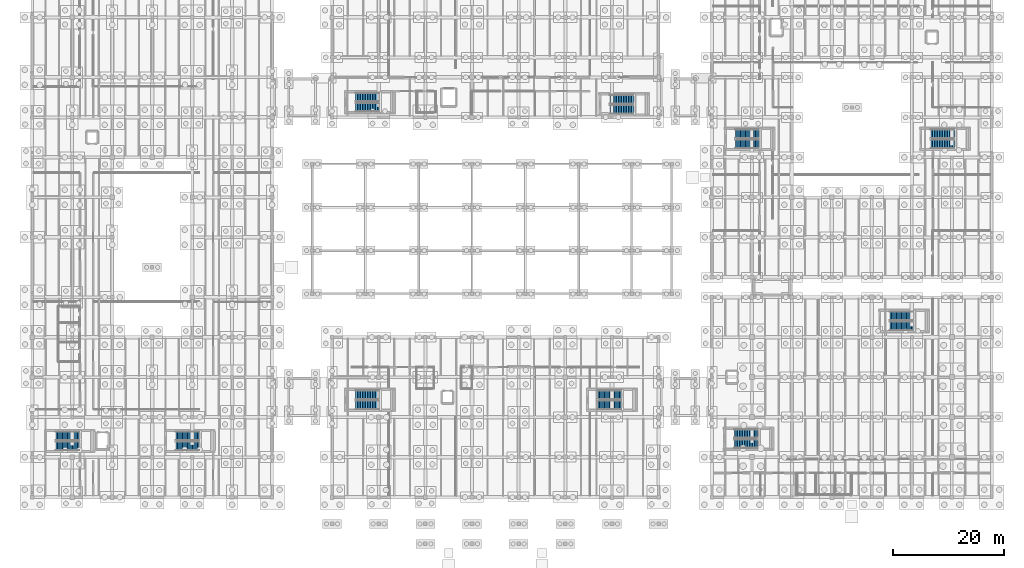
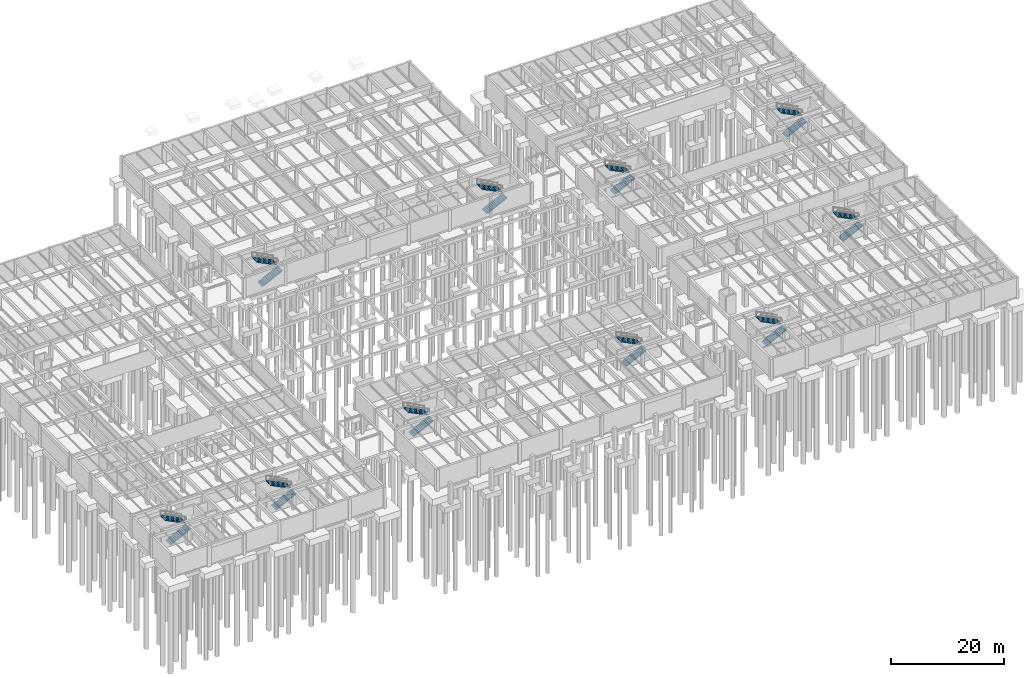
# One storey, part 51 of 63: 20 stair flights, 10 elements without a shape of their own.
"""IFC4 building model written with IfcOpenShell, lengths in metres."""

from ifc_helpers import new_model, si_unit, direction, frame, origin, place, context, subcontext, project, spatial, polyline, outline, extrude, material, type_object, element, aggregate, save


model = new_model("IFC4")

# Units and contexts
model_context = context("Model", 3, precision=1e-05, world=origin(), true_north=direction((0.0, 1.0)))
body_context = subcontext(model_context, "Body", "Model", "MODEL_VIEW")
ifc_project = project(units=[si_unit("LENGTHUNIT", "METRE"), si_unit("AREAUNIT", "SQUARE_METRE"), si_unit("VOLUMEUNIT", "CUBIC_METRE"), si_unit("PLANEANGLEUNIT", "RADIAN"), si_unit("MASSUNIT", "GRAM", prefix="KILO")], contexts=[model_context])

# Site, building, storey
site_placement = place(None, origin())
site = spatial("IfcSite", under=ifc_project, at=site_placement, CompositionType="ELEMENT")
building_placement = place(site_placement, origin())
building = spatial("IfcBuilding", under=site, at=building_placement, Name="Mazaris Harbour Polytechnic", CompositionType="ELEMENT")
storey_placement = place(building_placement, frame((0.0, 0.0, -4.5)))
storey = spatial("IfcBuildingStorey", under=building, at=storey_placement, Name="B1", CompositionType="ELEMENT", Elevation=-4.5)

# Stair, stair flights
ifc_material_1 = material(Name="Concrete C40/50", Category="concrete")
stair_type = type_object("IfcStairType", Name="Core Exit Stair H4500", PredefinedType="HALF_TURN_STAIR", material=ifc_material_1)
stair_1_placement = place(storey_placement, origin())
stair_1 = element("IfcStair", 1, at=stair_1_placement, inside=storey, type_object=stair_type, Name="B1 ST01", PredefinedType="HALF_TURN_STAIR")
ifc_material_2 = material(Name="Concrete C40/50", Category="concrete")
stair_flight_type = type_object("IfcStairFlightType", Name="RC Stair Flight W1650", PredefinedType="STRAIGHT", material=ifc_material_2)
stair_flight_1_placement = place(storey_placement, frame((58.25, 77.425048828125, 0.0), z_axis=(0.0, 0.0, 1.0), x_axis=(1.0, 0.0, 0.0)))
stair_flight_1 = element("IfcStairFlight", 2, at=stair_flight_1_placement, type_object=stair_flight_type, Name="ST01 flight 1", NumberOfRisers=15, NumberOfTreads=14, PredefinedType="STRAIGHT", RiserHeight=0.15, TreadLength=0.3, context=body_context, shape_type="SweptSolid", body=[
    extrude(outline(polyline([(0.0, 0.0), (0.0, 0.14990234375), (0.300048828125, 0.14990234375), (0.300048828125, 0.300048828125), (0.60009765625, 0.300048828125), (0.60009765625, 0.449951171875), (0.89990234375, 0.449951171875), (0.89990234375, 0.60009765625), (1.199951171875, 0.60009765625), (1.199951171875, 0.75), (1.5, 0.75), (1.5, 0.89990234375), (1.800048828125, 0.89990234375), (1.800048828125, 1.050048828125), (2.10009765625, 1.050048828125), (2.10009765625, 1.199951171875), (2.39990234375, 1.199951171875), (2.39990234375, 1.35009765625), (2.699951171875, 1.35009765625), (2.699951171875, 1.5), (3.0, 1.5), (3.0, 1.64990234375), (3.300048828125, 1.64990234375), (3.300048828125, 1.800048828125), (3.60009765625, 1.800048828125), (3.60009765625, 1.949951171875), (3.89990234375, 1.949951171875), (3.89990234375, 2.10009765625), (4.199951171875, 2.10009765625), (4.199951171875, 2.25), (4.199951171875, 1.89892578125), (0.40234375, 0.0), (0.0, 0.0)])), frame((0.0, 0.824951171875, 0.0), z_axis=(0.0, -1.0, 0.0), x_axis=(1.0, 0.0, 0.0)), (0.0, 0.0, 1.0), 1.64990234375),
])
stair_flight_2_placement = place(storey_placement, frame((62.449951171875, 79.22509765625, 2.25), z_axis=(0.0, 0.0, 1.0), x_axis=(-1.0, 0.0, 0.0)))
stair_flight_2 = element("IfcStairFlight", 3, at=stair_flight_2_placement, type_object=stair_flight_type, Name="ST01 flight 2", NumberOfRisers=15, NumberOfTreads=14, PredefinedType="STRAIGHT", RiserHeight=0.15, TreadLength=0.3, context=body_context, shape_type="SweptSolid", body=[
    extrude(outline(polyline([(0.0, 0.0), (0.0, 0.14990234375), (0.300048828125, 0.14990234375), (0.300048828125, 0.300048828125), (0.60009765625, 0.300048828125), (0.60009765625, 0.449951171875), (0.89990234375, 0.449951171875), (0.89990234375, 0.60009765625), (1.199951171875, 0.60009765625), (1.199951171875, 0.75), (1.5, 0.75), (1.5, 0.89990234375), (1.800048828125, 0.89990234375), (1.800048828125, 1.050048828125), (2.10009765625, 1.050048828125), (2.10009765625, 1.199951171875), (2.39990234375, 1.199951171875), (2.39990234375, 1.35009765625), (2.699951171875, 1.35009765625), (2.699951171875, 1.5), (3.0, 1.5), (3.0, 1.64990234375), (3.300048828125, 1.64990234375), (3.300048828125, 1.800048828125), (3.60009765625, 1.800048828125), (3.60009765625, 1.949951171875), (3.89990234375, 1.949951171875), (3.89990234375, 2.10009765625), (4.199951171875, 2.10009765625), (4.199951171875, 2.25), (4.199951171875, 1.89892578125), (0.40234375, 0.0), (0.0, 0.0)])), frame((0.0, 0.824951171875, 0.0), z_axis=(0.0, -1.0, 0.0), x_axis=(1.0, 0.0, 0.0)), (0.0, 0.0, 1.0), 1.64990234375),
])
aggregate(stair_1, [stair_flight_1, stair_flight_2])

stair_2_placement = place(storey_placement, origin())
stair_2 = element("IfcStair", 4, at=stair_2_placement, inside=storey, type_object=stair_type, Name="B1 ST02", PredefinedType="HALF_TURN_STAIR")
stair_flight_3_placement = place(storey_placement, frame((104.050048828125, 77.02490234375, 0.0), z_axis=(0.0, 0.0, 1.0), x_axis=(1.0, 0.0, 0.0)))
stair_flight_3 = element("IfcStairFlight", 5, at=stair_flight_3_placement, type_object=stair_flight_type, Name="ST02 flight 1", NumberOfRisers=15, NumberOfTreads=14, PredefinedType="STRAIGHT", RiserHeight=0.15, TreadLength=0.3, context=body_context, shape_type="SweptSolid", body=[
    extrude(outline(polyline([(0.0, 0.0), (0.0, 0.14990234375), (0.300048828125, 0.14990234375), (0.300048828125, 0.300048828125), (0.60009765625, 0.300048828125), (0.60009765625, 0.449951171875), (0.89990234375, 0.449951171875), (0.89990234375, 0.60009765625), (1.199951171875, 0.60009765625), (1.199951171875, 0.75), (1.5, 0.75), (1.5, 0.89990234375), (1.800048828125, 0.89990234375), (1.800048828125, 1.050048828125), (2.10009765625, 1.050048828125), (2.10009765625, 1.199951171875), (2.39990234375, 1.199951171875), (2.39990234375, 1.35009765625), (2.699951171875, 1.35009765625), (2.699951171875, 1.5), (3.0, 1.5), (3.0, 1.64990234375), (3.300048828125, 1.64990234375), (3.300048828125, 1.800048828125), (3.60009765625, 1.800048828125), (3.60009765625, 1.949951171875), (3.89990234375, 1.949951171875), (3.89990234375, 2.10009765625), (4.199951171875, 2.10009765625), (4.199951171875, 2.25), (4.199951171875, 1.89892578125), (0.40234375, 0.0), (0.0, 0.0)])), frame((0.0, 0.824951171875, 0.0), z_axis=(0.0, -1.0, 0.0), x_axis=(1.0, 0.0, 0.0)), (0.0, 0.0, 1.0), 1.64990234375),
])
stair_flight_4_placement = place(storey_placement, frame((108.25, 78.824951171875, 2.25), z_axis=(0.0, 0.0, 1.0), x_axis=(-1.0, 0.0, 0.0)))
stair_flight_4 = element("IfcStairFlight", 6, at=stair_flight_4_placement, type_object=stair_flight_type, Name="ST02 flight 2", NumberOfRisers=15, NumberOfTreads=14, PredefinedType="STRAIGHT", RiserHeight=0.15, TreadLength=0.3, context=body_context, shape_type="SweptSolid", body=[
    extrude(outline(polyline([(0.0, 0.0), (0.0, 0.14990234375), (0.300048828125, 0.14990234375), (0.300048828125, 0.300048828125), (0.60009765625, 0.300048828125), (0.60009765625, 0.449951171875), (0.89990234375, 0.449951171875), (0.89990234375, 0.60009765625), (1.199951171875, 0.60009765625), (1.199951171875, 0.75), (1.5, 0.75), (1.5, 0.89990234375), (1.800048828125, 0.89990234375), (1.800048828125, 1.050048828125), (2.10009765625, 1.050048828125), (2.10009765625, 1.199951171875), (2.39990234375, 1.199951171875), (2.39990234375, 1.35009765625), (2.699951171875, 1.35009765625), (2.699951171875, 1.5), (3.0, 1.5), (3.0, 1.64990234375), (3.300048828125, 1.64990234375), (3.300048828125, 1.800048828125), (3.60009765625, 1.800048828125), (3.60009765625, 1.949951171875), (3.89990234375, 1.949951171875), (3.89990234375, 2.10009765625), (4.199951171875, 2.10009765625), (4.199951171875, 2.25), (4.199951171875, 1.89892578125), (0.40234375, 0.0), (0.0, 0.0)])), frame((0.0, 0.824951171875, 0.0), z_axis=(0.0, -1.0, 0.0), x_axis=(1.0, 0.0, 0.0)), (0.0, 0.0, 1.0), 1.64990234375),
])
aggregate(stair_2, [stair_flight_3, stair_flight_4])

stair_3_placement = place(storey_placement, origin())
stair_3 = element("IfcStair", 7, at=stair_3_placement, inside=storey, type_object=stair_type, Name="B1 ST03", PredefinedType="HALF_TURN_STAIR")
stair_flight_5_placement = place(storey_placement, frame((126.449951171875, 16.824951171875, 0.0), z_axis=(0.0, 0.0, 1.0), x_axis=(1.0, 0.0, 0.0)))
stair_flight_5 = element("IfcStairFlight", 8, at=stair_flight_5_placement, type_object=stair_flight_type, Name="ST03 flight 1", NumberOfRisers=15, NumberOfTreads=14, PredefinedType="STRAIGHT", RiserHeight=0.15, TreadLength=0.3, context=body_context, shape_type="SweptSolid", body=[
    extrude(outline(polyline([(0.0, 0.0), (0.0, 0.14990234375), (0.300048828125, 0.14990234375), (0.300048828125, 0.300048828125), (0.60009765625, 0.300048828125), (0.60009765625, 0.449951171875), (0.89990234375, 0.449951171875), (0.89990234375, 0.60009765625), (1.199951171875, 0.60009765625), (1.199951171875, 0.75), (1.5, 0.75), (1.5, 0.89990234375), (1.800048828125, 0.89990234375), (1.800048828125, 1.050048828125), (2.10009765625, 1.050048828125), (2.10009765625, 1.199951171875), (2.39990234375, 1.199951171875), (2.39990234375, 1.35009765625), (2.699951171875, 1.35009765625), (2.699951171875, 1.5), (3.0, 1.5), (3.0, 1.64990234375), (3.300048828125, 1.64990234375), (3.300048828125, 1.800048828125), (3.60009765625, 1.800048828125), (3.60009765625, 1.949951171875), (3.89990234375, 1.949951171875), (3.89990234375, 2.10009765625), (4.199951171875, 2.10009765625), (4.199951171875, 2.25), (4.199951171875, 1.89892578125), (0.40234375, 0.0), (0.0, 0.0)])), frame((0.0, 0.824951171875, 0.0), z_axis=(0.0, -1.0, 0.0), x_axis=(1.0, 0.0, 0.0)), (0.0, 0.0, 1.0), 1.64990234375),
])
stair_flight_6_placement = place(storey_placement, frame((130.64990234375, 18.625, 2.25), z_axis=(0.0, 0.0, 1.0), x_axis=(-1.0, 0.0, 0.0)))
stair_flight_6 = element("IfcStairFlight", 9, at=stair_flight_6_placement, type_object=stair_flight_type, Name="ST03 flight 2", NumberOfRisers=15, NumberOfTreads=14, PredefinedType="STRAIGHT", RiserHeight=0.15, TreadLength=0.3, context=body_context, shape_type="SweptSolid", body=[
    extrude(outline(polyline([(0.0, 0.0), (0.0, 0.14990234375), (0.300048828125, 0.14990234375), (0.300048828125, 0.300048828125), (0.60009765625, 0.300048828125), (0.60009765625, 0.449951171875), (0.89990234375, 0.449951171875), (0.89990234375, 0.60009765625), (1.199951171875, 0.60009765625), (1.199951171875, 0.75), (1.5, 0.75), (1.5, 0.89990234375), (1.800048828125, 0.89990234375), (1.800048828125, 1.050048828125), (2.10009765625, 1.050048828125), (2.10009765625, 1.199951171875), (2.39990234375, 1.199951171875), (2.39990234375, 1.35009765625), (2.699951171875, 1.35009765625), (2.699951171875, 1.5), (3.0, 1.5), (3.0, 1.64990234375), (3.300048828125, 1.64990234375), (3.300048828125, 1.800048828125), (3.60009765625, 1.800048828125), (3.60009765625, 1.949951171875), (3.89990234375, 1.949951171875), (3.89990234375, 2.10009765625), (4.199951171875, 2.10009765625), (4.199951171875, 2.25), (4.199951171875, 1.89892578125), (0.40234375, 0.0), (0.0, 0.0)])), frame((0.0, 0.824951171875, 0.0), z_axis=(0.0, -1.0, 0.0), x_axis=(1.0, 0.0, 0.0)), (0.0, 0.0, 1.0), 1.64990234375),
])
aggregate(stair_3, [stair_flight_5, stair_flight_6])

stair_4_placement = place(storey_placement, origin())
stair_4 = element("IfcStair", 10, at=stair_4_placement, inside=storey, type_object=stair_type, Name="B1 ST04", PredefinedType="HALF_TURN_STAIR")
stair_flight_7_placement = place(storey_placement, frame((154.449951171875, 38.02490234375, 0.0), z_axis=(0.0, 0.0, 1.0), x_axis=(1.0, 0.0, 0.0)))
stair_flight_7 = element("IfcStairFlight", 11, at=stair_flight_7_placement, type_object=stair_flight_type, Name="ST04 flight 1", NumberOfRisers=15, NumberOfTreads=14, PredefinedType="STRAIGHT", RiserHeight=0.15, TreadLength=0.3, context=body_context, shape_type="SweptSolid", body=[
    extrude(outline(polyline([(0.0, 0.0), (0.0, 0.14990234375), (0.300048828125, 0.14990234375), (0.300048828125, 0.300048828125), (0.60009765625, 0.300048828125), (0.60009765625, 0.449951171875), (0.89990234375, 0.449951171875), (0.89990234375, 0.60009765625), (1.199951171875, 0.60009765625), (1.199951171875, 0.75), (1.5, 0.75), (1.5, 0.89990234375), (1.800048828125, 0.89990234375), (1.800048828125, 1.050048828125), (2.10009765625, 1.050048828125), (2.10009765625, 1.199951171875), (2.39990234375, 1.199951171875), (2.39990234375, 1.35009765625), (2.699951171875, 1.35009765625), (2.699951171875, 1.5), (3.0, 1.5), (3.0, 1.64990234375), (3.300048828125, 1.64990234375), (3.300048828125, 1.800048828125), (3.60009765625, 1.800048828125), (3.60009765625, 1.949951171875), (3.89990234375, 1.949951171875), (3.89990234375, 2.10009765625), (4.199951171875, 2.10009765625), (4.199951171875, 2.25), (4.199951171875, 1.89892578125), (0.40234375, 0.0), (0.0, 0.0)])), frame((0.0, 0.824951171875, 0.0), z_axis=(0.0, -1.0, 0.0), x_axis=(1.0, 0.0, 0.0)), (0.0, 0.0, 1.0), 1.64990234375),
])
stair_flight_8_placement = place(storey_placement, frame((158.64990234375, 39.824951171875, 2.25), z_axis=(0.0, 0.0, 1.0), x_axis=(-1.0, 0.0, 0.0)))
stair_flight_8 = element("IfcStairFlight", 12, at=stair_flight_8_placement, type_object=stair_flight_type, Name="ST04 flight 2", NumberOfRisers=15, NumberOfTreads=14, PredefinedType="STRAIGHT", RiserHeight=0.15, TreadLength=0.3, context=body_context, shape_type="SweptSolid", body=[
    extrude(outline(polyline([(0.0, 0.0), (0.0, 0.14990234375), (0.300048828125, 0.14990234375), (0.300048828125, 0.300048828125), (0.60009765625, 0.300048828125), (0.60009765625, 0.449951171875), (0.89990234375, 0.449951171875), (0.89990234375, 0.60009765625), (1.199951171875, 0.60009765625), (1.199951171875, 0.75), (1.5, 0.75), (1.5, 0.89990234375), (1.800048828125, 0.89990234375), (1.800048828125, 1.050048828125), (2.10009765625, 1.050048828125), (2.10009765625, 1.199951171875), (2.39990234375, 1.199951171875), (2.39990234375, 1.35009765625), (2.699951171875, 1.35009765625), (2.699951171875, 1.5), (3.0, 1.5), (3.0, 1.64990234375), (3.300048828125, 1.64990234375), (3.300048828125, 1.800048828125), (3.60009765625, 1.800048828125), (3.60009765625, 1.949951171875), (3.89990234375, 1.949951171875), (3.89990234375, 2.10009765625), (4.199951171875, 2.10009765625), (4.199951171875, 2.25), (4.199951171875, 1.89892578125), (0.40234375, 0.0), (0.0, 0.0)])), frame((0.0, 0.824951171875, 0.0), z_axis=(0.0, -1.0, 0.0), x_axis=(1.0, 0.0, 0.0)), (0.0, 0.0, 1.0), 1.64990234375),
])
aggregate(stair_4, [stair_flight_7, stair_flight_8])

stair_5_placement = place(storey_placement, origin())
stair_5 = element("IfcStair", 13, at=stair_5_placement, inside=storey, type_object=stair_type, Name="B1 ST05", PredefinedType="HALF_TURN_STAIR")
stair_flight_9_placement = place(storey_placement, frame((58.25, 23.824951171875, 0.0), z_axis=(0.0, 0.0, 1.0), x_axis=(1.0, 0.0, 0.0)))
stair_flight_9 = element("IfcStairFlight", 14, at=stair_flight_9_placement, type_object=stair_flight_type, Name="ST05 flight 1", NumberOfRisers=15, NumberOfTreads=14, PredefinedType="STRAIGHT", RiserHeight=0.15, TreadLength=0.3, context=body_context, shape_type="SweptSolid", body=[
    extrude(outline(polyline([(0.0, 0.0), (0.0, 0.14990234375), (0.300048828125, 0.14990234375), (0.300048828125, 0.300048828125), (0.60009765625, 0.300048828125), (0.60009765625, 0.449951171875), (0.89990234375, 0.449951171875), (0.89990234375, 0.60009765625), (1.199951171875, 0.60009765625), (1.199951171875, 0.75), (1.5, 0.75), (1.5, 0.89990234375), (1.800048828125, 0.89990234375), (1.800048828125, 1.050048828125), (2.10009765625, 1.050048828125), (2.10009765625, 1.199951171875), (2.39990234375, 1.199951171875), (2.39990234375, 1.35009765625), (2.699951171875, 1.35009765625), (2.699951171875, 1.5), (3.0, 1.5), (3.0, 1.64990234375), (3.300048828125, 1.64990234375), (3.300048828125, 1.800048828125), (3.60009765625, 1.800048828125), (3.60009765625, 1.949951171875), (3.89990234375, 1.949951171875), (3.89990234375, 2.10009765625), (4.199951171875, 2.10009765625), (4.199951171875, 2.25), (4.199951171875, 1.89892578125), (0.40234375, 0.0), (0.0, 0.0)])), frame((0.0, 0.824951171875, 0.0), z_axis=(0.0, -1.0, 0.0), x_axis=(1.0, 0.0, 0.0)), (0.0, 0.0, 1.0), 1.64990234375),
])
stair_flight_10_placement = place(storey_placement, frame((62.449951171875, 25.625, 2.25), z_axis=(0.0, 0.0, 1.0), x_axis=(-1.0, 0.0, 0.0)))
stair_flight_10 = element("IfcStairFlight", 15, at=stair_flight_10_placement, type_object=stair_flight_type, Name="ST05 flight 2", NumberOfRisers=15, NumberOfTreads=14, PredefinedType="STRAIGHT", RiserHeight=0.15, TreadLength=0.3, context=body_context, shape_type="SweptSolid", body=[
    extrude(outline(polyline([(0.0, 0.0), (0.0, 0.14990234375), (0.300048828125, 0.14990234375), (0.300048828125, 0.300048828125), (0.60009765625, 0.300048828125), (0.60009765625, 0.449951171875), (0.89990234375, 0.449951171875), (0.89990234375, 0.60009765625), (1.199951171875, 0.60009765625), (1.199951171875, 0.75), (1.5, 0.75), (1.5, 0.89990234375), (1.800048828125, 0.89990234375), (1.800048828125, 1.050048828125), (2.10009765625, 1.050048828125), (2.10009765625, 1.199951171875), (2.39990234375, 1.199951171875), (2.39990234375, 1.35009765625), (2.699951171875, 1.35009765625), (2.699951171875, 1.5), (3.0, 1.5), (3.0, 1.64990234375), (3.300048828125, 1.64990234375), (3.300048828125, 1.800048828125), (3.60009765625, 1.800048828125), (3.60009765625, 1.949951171875), (3.89990234375, 1.949951171875), (3.89990234375, 2.10009765625), (4.199951171875, 2.10009765625), (4.199951171875, 2.25), (4.199951171875, 1.89892578125), (0.40234375, 0.0), (0.0, 0.0)])), frame((0.0, 0.824951171875, 0.0), z_axis=(0.0, -1.0, 0.0), x_axis=(1.0, 0.0, 0.0)), (0.0, 0.0, 1.0), 1.64990234375),
])
aggregate(stair_5, [stair_flight_9, stair_flight_10])

stair_6_placement = place(storey_placement, origin())
stair_6 = element("IfcStair", 16, at=stair_6_placement, inside=storey, type_object=stair_type, Name="B1 ST06", PredefinedType="HALF_TURN_STAIR")
stair_flight_11_placement = place(storey_placement, frame((101.85009765625, 23.824951171875, 0.0), z_axis=(0.0, 0.0, 1.0), x_axis=(1.0, 0.0, 0.0)))
stair_flight_11 = element("IfcStairFlight", 17, at=stair_flight_11_placement, type_object=stair_flight_type, Name="ST06 flight 1", NumberOfRisers=15, NumberOfTreads=14, PredefinedType="STRAIGHT", RiserHeight=0.15, TreadLength=0.3, context=body_context, shape_type="SweptSolid", body=[
    extrude(outline(polyline([(0.0, 0.0), (0.0, 0.14990234375), (0.300048828125, 0.14990234375), (0.300048828125, 0.300048828125), (0.60009765625, 0.300048828125), (0.60009765625, 0.449951171875), (0.89990234375, 0.449951171875), (0.89990234375, 0.60009765625), (1.199951171875, 0.60009765625), (1.199951171875, 0.75), (1.5, 0.75), (1.5, 0.89990234375), (1.800048828125, 0.89990234375), (1.800048828125, 1.050048828125), (2.10009765625, 1.050048828125), (2.10009765625, 1.199951171875), (2.39990234375, 1.199951171875), (2.39990234375, 1.35009765625), (2.699951171875, 1.35009765625), (2.699951171875, 1.5), (3.0, 1.5), (3.0, 1.64990234375), (3.300048828125, 1.64990234375), (3.300048828125, 1.800048828125), (3.60009765625, 1.800048828125), (3.60009765625, 1.949951171875), (3.89990234375, 1.949951171875), (3.89990234375, 2.10009765625), (4.199951171875, 2.10009765625), (4.199951171875, 2.25), (4.199951171875, 1.89892578125), (0.40234375, 0.0), (0.0, 0.0)])), frame((0.0, 0.824951171875, 0.0), z_axis=(0.0, -1.0, 0.0), x_axis=(1.0, 0.0, 0.0)), (0.0, 0.0, 1.0), 1.64990234375),
])
stair_flight_12_placement = place(storey_placement, frame((106.050048828125, 25.625, 2.25), z_axis=(0.0, 0.0, 1.0), x_axis=(-1.0, 0.0, 0.0)))
stair_flight_12 = element("IfcStairFlight", 18, at=stair_flight_12_placement, type_object=stair_flight_type, Name="ST06 flight 2", NumberOfRisers=15, NumberOfTreads=14, PredefinedType="STRAIGHT", RiserHeight=0.15, TreadLength=0.3, context=body_context, shape_type="SweptSolid", body=[
    extrude(outline(polyline([(0.0, 0.0), (0.0, 0.14990234375), (0.300048828125, 0.14990234375), (0.300048828125, 0.300048828125), (0.60009765625, 0.300048828125), (0.60009765625, 0.449951171875), (0.89990234375, 0.449951171875), (0.89990234375, 0.60009765625), (1.199951171875, 0.60009765625), (1.199951171875, 0.75), (1.5, 0.75), (1.5, 0.89990234375), (1.800048828125, 0.89990234375), (1.800048828125, 1.050048828125), (2.10009765625, 1.050048828125), (2.10009765625, 1.199951171875), (2.39990234375, 1.199951171875), (2.39990234375, 1.35009765625), (2.699951171875, 1.35009765625), (2.699951171875, 1.5), (3.0, 1.5), (3.0, 1.64990234375), (3.300048828125, 1.64990234375), (3.300048828125, 1.800048828125), (3.60009765625, 1.800048828125), (3.60009765625, 1.949951171875), (3.89990234375, 1.949951171875), (3.89990234375, 2.10009765625), (4.199951171875, 2.10009765625), (4.199951171875, 2.25), (4.199951171875, 1.89892578125), (0.40234375, 0.0), (0.0, 0.0)])), frame((0.0, 0.824951171875, 0.0), z_axis=(0.0, -1.0, 0.0), x_axis=(1.0, 0.0, 0.0)), (0.0, 0.0, 1.0), 1.64990234375),
])
aggregate(stair_6, [stair_flight_11, stair_flight_12])

stair_7_placement = place(storey_placement, origin())
stair_7 = element("IfcStair", 19, at=stair_7_placement, inside=storey, type_object=stair_type, Name="B1 ST07", PredefinedType="HALF_TURN_STAIR")
stair_flight_13_placement = place(storey_placement, frame((4.25, 16.425048828125, 0.0), z_axis=(0.0, 0.0, 1.0), x_axis=(1.0, 0.0, 0.0)))
stair_flight_13 = element("IfcStairFlight", 20, at=stair_flight_13_placement, type_object=stair_flight_type, Name="ST07 flight 1", NumberOfRisers=15, NumberOfTreads=14, PredefinedType="STRAIGHT", RiserHeight=0.15, TreadLength=0.3, context=body_context, shape_type="SweptSolid", body=[
    extrude(outline(polyline([(0.0, 0.0), (0.0, 0.14990234375), (0.300048828125, 0.14990234375), (0.300048828125, 0.300048828125), (0.60009765625, 0.300048828125), (0.60009765625, 0.449951171875), (0.89990234375, 0.449951171875), (0.89990234375, 0.60009765625), (1.199951171875, 0.60009765625), (1.199951171875, 0.75), (1.5, 0.75), (1.5, 0.89990234375), (1.800048828125, 0.89990234375), (1.800048828125, 1.050048828125), (2.10009765625, 1.050048828125), (2.10009765625, 1.199951171875), (2.39990234375, 1.199951171875), (2.39990234375, 1.35009765625), (2.699951171875, 1.35009765625), (2.699951171875, 1.5), (3.0, 1.5), (3.0, 1.64990234375), (3.300048828125, 1.64990234375), (3.300048828125, 1.800048828125), (3.60009765625, 1.800048828125), (3.60009765625, 1.949951171875), (3.89990234375, 1.949951171875), (3.89990234375, 2.10009765625), (4.199951171875, 2.10009765625), (4.199951171875, 2.25), (4.199951171875, 1.89892578125), (0.40234375, 0.0), (0.0, 0.0)])), frame((0.0, 0.824951171875, 0.0), z_axis=(0.0, -1.0, 0.0), x_axis=(1.0, 0.0, 0.0)), (0.0, 0.0, 1.0), 1.64990234375),
])
stair_flight_14_placement = place(storey_placement, frame((8.449951171875, 18.22509765625, 2.25), z_axis=(0.0, 0.0, 1.0), x_axis=(-1.0, 0.0, 0.0)))
stair_flight_14 = element("IfcStairFlight", 21, at=stair_flight_14_placement, type_object=stair_flight_type, Name="ST07 flight 2", NumberOfRisers=15, NumberOfTreads=14, PredefinedType="STRAIGHT", RiserHeight=0.15, TreadLength=0.3, context=body_context, shape_type="SweptSolid", body=[
    extrude(outline(polyline([(0.0, 0.0), (0.0, 0.14990234375), (0.300048828125, 0.14990234375), (0.300048828125, 0.300048828125), (0.60009765625, 0.300048828125), (0.60009765625, 0.449951171875), (0.89990234375, 0.449951171875), (0.89990234375, 0.60009765625), (1.199951171875, 0.60009765625), (1.199951171875, 0.75), (1.5, 0.75), (1.5, 0.89990234375), (1.800048828125, 0.89990234375), (1.800048828125, 1.050048828125), (2.10009765625, 1.050048828125), (2.10009765625, 1.199951171875), (2.39990234375, 1.199951171875), (2.39990234375, 1.35009765625), (2.699951171875, 1.35009765625), (2.699951171875, 1.5), (3.0, 1.5), (3.0, 1.64990234375), (3.300048828125, 1.64990234375), (3.300048828125, 1.800048828125), (3.60009765625, 1.800048828125), (3.60009765625, 1.949951171875), (3.89990234375, 1.949951171875), (3.89990234375, 2.10009765625), (4.199951171875, 2.10009765625), (4.199951171875, 2.25), (4.199951171875, 1.89892578125), (0.40234375, 0.0), (0.0, 0.0)])), frame((0.0, 0.824951171875, 0.0), z_axis=(0.0, -1.0, 0.0), x_axis=(1.0, 0.0, 0.0)), (0.0, 0.0, 1.0), 1.64990234375),
])
aggregate(stair_7, [stair_flight_13, stair_flight_14])

stair_8_placement = place(storey_placement, origin())
stair_8 = element("IfcStair", 22, at=stair_8_placement, inside=storey, type_object=stair_type, Name="B1 ST08", PredefinedType="HALF_TURN_STAIR")
stair_flight_15_placement = place(storey_placement, frame((25.85009765625, 16.425048828125, 0.0), z_axis=(0.0, 0.0, 1.0), x_axis=(1.0, 0.0, 0.0)))
stair_flight_15 = element("IfcStairFlight", 23, at=stair_flight_15_placement, type_object=stair_flight_type, Name="ST08 flight 1", NumberOfRisers=15, NumberOfTreads=14, PredefinedType="STRAIGHT", RiserHeight=0.15, TreadLength=0.3, context=body_context, shape_type="SweptSolid", body=[
    extrude(outline(polyline([(0.0, 0.0), (0.0, 0.14990234375), (0.300048828125, 0.14990234375), (0.300048828125, 0.300048828125), (0.60009765625, 0.300048828125), (0.60009765625, 0.449951171875), (0.89990234375, 0.449951171875), (0.89990234375, 0.60009765625), (1.199951171875, 0.60009765625), (1.199951171875, 0.75), (1.5, 0.75), (1.5, 0.89990234375), (1.800048828125, 0.89990234375), (1.800048828125, 1.050048828125), (2.10009765625, 1.050048828125), (2.10009765625, 1.199951171875), (2.39990234375, 1.199951171875), (2.39990234375, 1.35009765625), (2.699951171875, 1.35009765625), (2.699951171875, 1.5), (3.0, 1.5), (3.0, 1.64990234375), (3.300048828125, 1.64990234375), (3.300048828125, 1.800048828125), (3.60009765625, 1.800048828125), (3.60009765625, 1.949951171875), (3.89990234375, 1.949951171875), (3.89990234375, 2.10009765625), (4.199951171875, 2.10009765625), (4.199951171875, 2.25), (4.199951171875, 1.89892578125), (0.40234375, 0.0), (0.0, 0.0)])), frame((0.0, 0.824951171875, 0.0), z_axis=(0.0, -1.0, 0.0), x_axis=(1.0, 0.0, 0.0)), (0.0, 0.0, 1.0), 1.64990234375),
])
stair_flight_16_placement = place(storey_placement, frame((30.050048828125, 18.22509765625, 2.25), z_axis=(0.0, 0.0, 1.0), x_axis=(-1.0, 0.0, 0.0)))
stair_flight_16 = element("IfcStairFlight", 24, at=stair_flight_16_placement, type_object=stair_flight_type, Name="ST08 flight 2", NumberOfRisers=15, NumberOfTreads=14, PredefinedType="STRAIGHT", RiserHeight=0.15, TreadLength=0.3, context=body_context, shape_type="SweptSolid", body=[
    extrude(outline(polyline([(0.0, 0.0), (0.0, 0.14990234375), (0.300048828125, 0.14990234375), (0.300048828125, 0.300048828125), (0.60009765625, 0.300048828125), (0.60009765625, 0.449951171875), (0.89990234375, 0.449951171875), (0.89990234375, 0.60009765625), (1.199951171875, 0.60009765625), (1.199951171875, 0.75), (1.5, 0.75), (1.5, 0.89990234375), (1.800048828125, 0.89990234375), (1.800048828125, 1.050048828125), (2.10009765625, 1.050048828125), (2.10009765625, 1.199951171875), (2.39990234375, 1.199951171875), (2.39990234375, 1.35009765625), (2.699951171875, 1.35009765625), (2.699951171875, 1.5), (3.0, 1.5), (3.0, 1.64990234375), (3.300048828125, 1.64990234375), (3.300048828125, 1.800048828125), (3.60009765625, 1.800048828125), (3.60009765625, 1.949951171875), (3.89990234375, 1.949951171875), (3.89990234375, 2.10009765625), (4.199951171875, 2.10009765625), (4.199951171875, 2.25), (4.199951171875, 1.89892578125), (0.40234375, 0.0), (0.0, 0.0)])), frame((0.0, 0.824951171875, 0.0), z_axis=(0.0, -1.0, 0.0), x_axis=(1.0, 0.0, 0.0)), (0.0, 0.0, 1.0), 1.64990234375),
])
aggregate(stair_8, [stair_flight_15, stair_flight_16])

stair_9_placement = place(storey_placement, origin())
stair_9 = element("IfcStair", 25, at=stair_9_placement, inside=storey, type_object=stair_type, Name="B1 ST09", PredefinedType="HALF_TURN_STAIR")
stair_flight_17_placement = place(storey_placement, frame((126.64990234375, 70.824951171875, 0.0), z_axis=(0.0, 0.0, 1.0), x_axis=(1.0, 0.0, 0.0)))
stair_flight_17 = element("IfcStairFlight", 26, at=stair_flight_17_placement, type_object=stair_flight_type, Name="ST09 flight 1", NumberOfRisers=15, NumberOfTreads=14, PredefinedType="STRAIGHT", RiserHeight=0.15, TreadLength=0.3, context=body_context, shape_type="SweptSolid", body=[
    extrude(outline(polyline([(0.0, 0.0), (0.0, 0.14990234375), (0.300048828125, 0.14990234375), (0.300048828125, 0.300048828125), (0.60009765625, 0.300048828125), (0.60009765625, 0.449951171875), (0.89990234375, 0.449951171875), (0.89990234375, 0.60009765625), (1.199951171875, 0.60009765625), (1.199951171875, 0.75), (1.5, 0.75), (1.5, 0.89990234375), (1.800048828125, 0.89990234375), (1.800048828125, 1.050048828125), (2.10009765625, 1.050048828125), (2.10009765625, 1.199951171875), (2.39990234375, 1.199951171875), (2.39990234375, 1.35009765625), (2.699951171875, 1.35009765625), (2.699951171875, 1.5), (3.0, 1.5), (3.0, 1.64990234375), (3.300048828125, 1.64990234375), (3.300048828125, 1.800048828125), (3.60009765625, 1.800048828125), (3.60009765625, 1.949951171875), (3.89990234375, 1.949951171875), (3.89990234375, 2.10009765625), (4.199951171875, 2.10009765625), (4.199951171875, 2.25), (4.199951171875, 1.89892578125), (0.40234375, 0.0), (0.0, 0.0)])), frame((0.0, 0.824951171875, 0.0), z_axis=(0.0, -1.0, 0.0), x_axis=(1.0, 0.0, 0.0)), (0.0, 0.0, 1.0), 1.64990234375),
])
stair_flight_18_placement = place(storey_placement, frame((130.85009765625, 72.625, 2.25), z_axis=(0.0, 0.0, 1.0), x_axis=(-1.0, 0.0, 0.0)))
stair_flight_18 = element("IfcStairFlight", 27, at=stair_flight_18_placement, type_object=stair_flight_type, Name="ST09 flight 2", NumberOfRisers=15, NumberOfTreads=14, PredefinedType="STRAIGHT", RiserHeight=0.15, TreadLength=0.3, context=body_context, shape_type="SweptSolid", body=[
    extrude(outline(polyline([(0.0, 0.0), (0.0, 0.14990234375), (0.300048828125, 0.14990234375), (0.300048828125, 0.300048828125), (0.60009765625, 0.300048828125), (0.60009765625, 0.449951171875), (0.89990234375, 0.449951171875), (0.89990234375, 0.60009765625), (1.199951171875, 0.60009765625), (1.199951171875, 0.75), (1.5, 0.75), (1.5, 0.89990234375), (1.800048828125, 0.89990234375), (1.800048828125, 1.050048828125), (2.10009765625, 1.050048828125), (2.10009765625, 1.199951171875), (2.39990234375, 1.199951171875), (2.39990234375, 1.35009765625), (2.699951171875, 1.35009765625), (2.699951171875, 1.5), (3.0, 1.5), (3.0, 1.64990234375), (3.300048828125, 1.64990234375), (3.300048828125, 1.800048828125), (3.60009765625, 1.800048828125), (3.60009765625, 1.949951171875), (3.89990234375, 1.949951171875), (3.89990234375, 2.10009765625), (4.199951171875, 2.10009765625), (4.199951171875, 2.25), (4.199951171875, 1.89892578125), (0.40234375, 0.0), (0.0, 0.0)])), frame((0.0, 0.824951171875, 0.0), z_axis=(0.0, -1.0, 0.0), x_axis=(1.0, 0.0, 0.0)), (0.0, 0.0, 1.0), 1.64990234375),
])
aggregate(stair_9, [stair_flight_17, stair_flight_18])

stair_10_placement = place(storey_placement, origin())
stair_10 = element("IfcStair", 28, at=stair_10_placement, inside=storey, type_object=stair_type, Name="B1 ST10", PredefinedType="HALF_TURN_STAIR")
stair_flight_19_placement = place(storey_placement, frame((161.85009765625, 70.824951171875, 0.0), z_axis=(0.0, 0.0, 1.0), x_axis=(1.0, 0.0, 0.0)))
stair_flight_19 = element("IfcStairFlight", 29, at=stair_flight_19_placement, type_object=stair_flight_type, Name="ST10 flight 1", NumberOfRisers=15, NumberOfTreads=14, PredefinedType="STRAIGHT", RiserHeight=0.15, TreadLength=0.3, context=body_context, shape_type="SweptSolid", body=[
    extrude(outline(polyline([(0.0, 0.0), (0.0, 0.14990234375), (0.300048828125, 0.14990234375), (0.300048828125, 0.300048828125), (0.60009765625, 0.300048828125), (0.60009765625, 0.449951171875), (0.89990234375, 0.449951171875), (0.89990234375, 0.60009765625), (1.199951171875, 0.60009765625), (1.199951171875, 0.75), (1.5, 0.75), (1.5, 0.89990234375), (1.800048828125, 0.89990234375), (1.800048828125, 1.050048828125), (2.10009765625, 1.050048828125), (2.10009765625, 1.199951171875), (2.39990234375, 1.199951171875), (2.39990234375, 1.35009765625), (2.699951171875, 1.35009765625), (2.699951171875, 1.5), (3.0, 1.5), (3.0, 1.64990234375), (3.300048828125, 1.64990234375), (3.300048828125, 1.800048828125), (3.60009765625, 1.800048828125), (3.60009765625, 1.949951171875), (3.89990234375, 1.949951171875), (3.89990234375, 2.10009765625), (4.199951171875, 2.10009765625), (4.199951171875, 2.25), (4.199951171875, 1.89892578125), (0.40234375, 0.0), (0.0, 0.0)])), frame((0.0, 0.824951171875, 0.0), z_axis=(0.0, -1.0, 0.0), x_axis=(1.0, 0.0, 0.0)), (0.0, 0.0, 1.0), 1.64990234375),
])
stair_flight_20_placement = place(storey_placement, frame((166.050048828125, 72.625, 2.25), z_axis=(0.0, 0.0, 1.0), x_axis=(-1.0, 0.0, 0.0)))
stair_flight_20 = element("IfcStairFlight", 30, at=stair_flight_20_placement, type_object=stair_flight_type, Name="ST10 flight 2", NumberOfRisers=15, NumberOfTreads=14, PredefinedType="STRAIGHT", RiserHeight=0.15, TreadLength=0.3, context=body_context, shape_type="SweptSolid", body=[
    extrude(outline(polyline([(0.0, 0.0), (0.0, 0.14990234375), (0.300048828125, 0.14990234375), (0.300048828125, 0.300048828125), (0.60009765625, 0.300048828125), (0.60009765625, 0.449951171875), (0.89990234375, 0.449951171875), (0.89990234375, 0.60009765625), (1.199951171875, 0.60009765625), (1.199951171875, 0.75), (1.5, 0.75), (1.5, 0.89990234375), (1.800048828125, 0.89990234375), (1.800048828125, 1.050048828125), (2.10009765625, 1.050048828125), (2.10009765625, 1.199951171875), (2.39990234375, 1.199951171875), (2.39990234375, 1.35009765625), (2.699951171875, 1.35009765625), (2.699951171875, 1.5), (3.0, 1.5), (3.0, 1.64990234375), (3.300048828125, 1.64990234375), (3.300048828125, 1.800048828125), (3.60009765625, 1.800048828125), (3.60009765625, 1.949951171875), (3.89990234375, 1.949951171875), (3.89990234375, 2.10009765625), (4.199951171875, 2.10009765625), (4.199951171875, 2.25), (4.199951171875, 1.89892578125), (0.40234375, 0.0), (0.0, 0.0)])), frame((0.0, 0.824951171875, 0.0), z_axis=(0.0, -1.0, 0.0), x_axis=(1.0, 0.0, 0.0)), (0.0, 0.0, 1.0), 1.64990234375),
])
aggregate(stair_10, [stair_flight_19, stair_flight_20])

save(model, "model.ifc")
